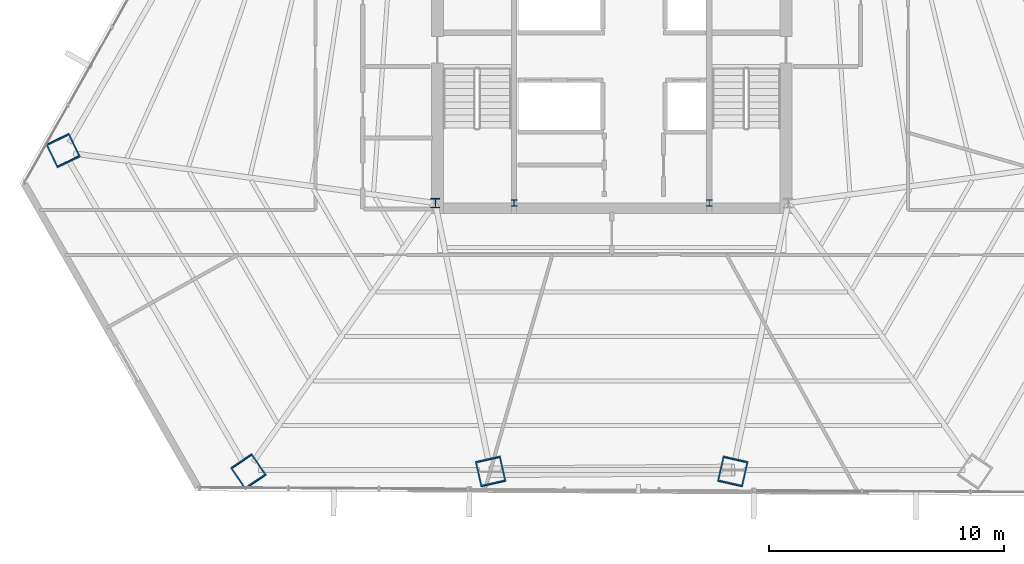
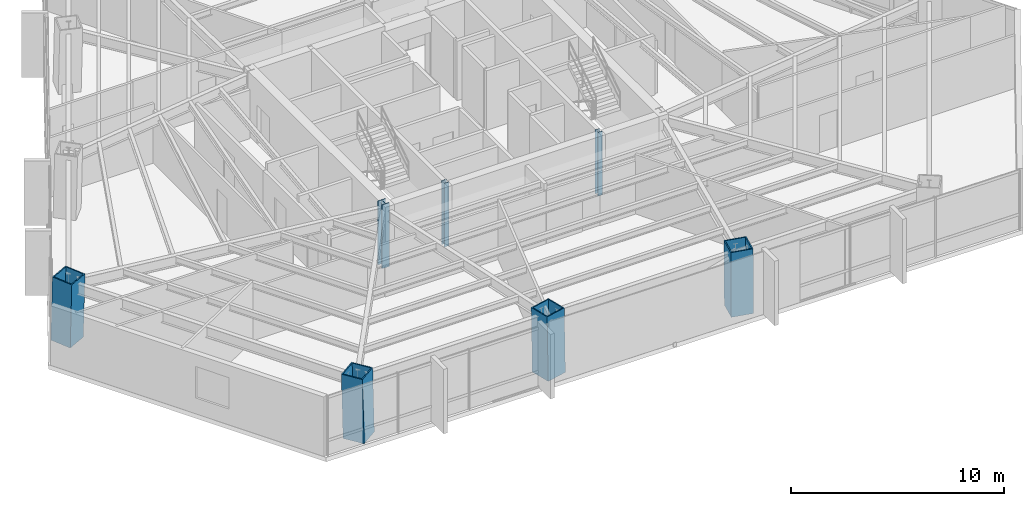
# One storey, part 1 of 35: 7 columns.
"""IFC4 building model written with IfcOpenShell, lengths in metres."""

from ifc_helpers import new_model, si_unit, direction, frame, origin, origin_2d, place, context, subcontext, project, spatial, hollow_rectangle, i_section, extrude, source, transform, mapped, material, material_profile, profile_set, type_object, type_shapes, element, save


model = new_model("IFC4")

# Units and contexts
model_context = context("Model", 3, precision=1e-05, world=origin(), true_north=direction((0.0, 1.0)))
body_context = subcontext(model_context, "Body", "Model", "MODEL_VIEW")
ifc_project = project(units=[si_unit("LENGTHUNIT", "METRE"), si_unit("AREAUNIT", "SQUARE_METRE"), si_unit("VOLUMEUNIT", "CUBIC_METRE"), si_unit("PLANEANGLEUNIT", "RADIAN"), si_unit("MASSUNIT", "GRAM", prefix="KILO")], contexts=[model_context])

# Site, building, storey
site_placement = place(None, origin())
site = spatial("IfcSite", under=ifc_project, at=site_placement, CompositionType="ELEMENT")
building_placement = place(site_placement, origin())
building = spatial("IfcBuilding", under=site, at=building_placement, Name="Caelisora Broadcast Tower", CompositionType="ELEMENT")
storey_placement = place(building_placement, frame((0.0, 0.0, 87.14990234375)))
storey = spatial("IfcBuildingStorey", under=building, at=storey_placement, Name="L22", CompositionType="ELEMENT", Elevation=87.14990234375)

# Columns
ifc_material_1 = material(Name="Steel Grade 350 (AS/NZS 3679.1)", Category="steel")
ifc_material_profile_1 = material_profile(ifc_material_1, i_section(OverallWidth=0.256103515625, OverallDepth=0.260009765625, WebThickness=0.010498046875, FlangeThickness=0.017333984375, at=origin_2d()), Name="Steel Grade 350 (AS/NZS 3679.1)")
ifc_profile_set_1 = profile_set([ifc_material_profile_1], Name="Steel Grade 350 (AS/NZS 3679.1)")
column_type_1 = type_object("IfcColumnType", Name="CC05", PredefinedType="COLUMN", material=ifc_profile_set_1)
shared_shape_1 = source(origin(), body_context, "Body", "SweptSolid", [
    extrude(i_section(OverallWidth=0.256103515625, OverallDepth=0.260009765625, WebThickness=0.010498046875, FlangeThickness=0.017333984375, at=origin_2d()), origin(), (0.0, 0.0, 1.0), 3.650146484375),
])
type_shapes(column_type_1, [shared_shape_1])
for number, where, z_axis, x_axis, name in (
    (1, (33.85009765625, 17.39990234375, 0.0), (0.0, 0.0, 1.0), (1.0, 0.0, 0.0), "L22 column CC05"),
    (2, (42.14990234375, 17.39990234375, 0.0), (0.0, 0.0, 1.0), (1.0, 0.0, 0.0), "L22 column CC05"),
):
    element("IfcColumn", number, at=place(storey_placement, frame(where, z_axis=z_axis, x_axis=x_axis)), inside=storey, type_object=column_type_1, Name=name, PredefinedType="COLUMN", context=body_context, shape_type="MappedRepresentation", body=[
        mapped(shared_shape_1, transform((0.0, 0.0, 0.0), scale=1.0)),
    ])
ifc_material_2 = material(Name="Steel Grade 350 L15 (AS/NZS 3678)", Category="steel")
ifc_material_profile_2 = material_profile(ifc_material_2, hollow_rectangle(XDim=1.10009765625, YDim=1.10009765625, WallThickness=0.06005859375, at=origin_2d()), Name="Steel Grade 350 L15 (AS/NZS 3678)")
ifc_profile_set_2 = profile_set([ifc_material_profile_2], Name="Steel Grade 350 L15 (AS/NZS 3678)")
column_type_2 = type_object("IfcColumnType", Name="MC03", PredefinedType="COLUMN", material=ifc_profile_set_2)
shared_shape_2 = source(origin(), body_context, "Body", "SweptSolid", [
    extrude(hollow_rectangle(XDim=1.10009765625, YDim=1.10009765625, WallThickness=0.06005859375, at=origin_2d()), origin(), (0.0, 0.0, 1.0), 3.65087890625),
])
for number, where, z_axis, x_axis, name in (
    (3, (32.855224609375, 5.9794921875, 0.0), (-0.004480382638, 0.019793929266, 0.999794042058), (-0.975326687046, -0.220766513622, 0.0), "L22 column MC03"),
    (4, (43.144775390625, 5.9794921875, 0.0), (0.004480382638, 0.019793929266, 0.999794042058), (-0.975326687046, 0.220766513622, 0.0), "L22 column MC03"),
):
    element("IfcColumn", number, at=place(storey_placement, frame(where, z_axis=z_axis, x_axis=x_axis)), inside=storey, type_object=column_type_2, Name=name, PredefinedType="COLUMN", context=body_context, shape_type="MappedRepresentation", body=[
        mapped(shared_shape_2, transform((0.0, 0.0, 0.0), scale=1.0)),
    ])
ifc_material_3 = material(Name="Steel Grade 350 (AS/NZS 3679.2)", Category="steel")
ifc_material_profile_3 = material_profile(ifc_material_3, i_section(OverallWidth=0.39990234375, OverallDepth=0.39990234375, WebThickness=0.02001953125, FlangeThickness=0.031982421875, at=origin_2d()), Name="Steel Grade 350 (AS/NZS 3679.2)")
ifc_profile_set_3 = profile_set([ifc_material_profile_3], Name="Steel Grade 350 (AS/NZS 3679.2)")
column_type_3 = type_object("IfcColumnType", Name="CC02", PredefinedType="COLUMN", material=ifc_profile_set_3)
shared_shape_3 = source(origin(), body_context, "Body", "SweptSolid", [
    extrude(i_section(OverallWidth=0.39990234375, OverallDepth=0.39990234375, WebThickness=0.02001953125, FlangeThickness=0.031982421875, at=origin_2d()), origin(), (0.0, 0.0, 1.0), 3.650146484375),
])
type_shapes(column_type_3, [shared_shape_3])
column_placement = place(storey_placement, frame((30.5, 17.39990234375, 0.0), z_axis=(0.0, 0.0, 1.0), x_axis=(1.0, 0.0, 0.0)))
element("IfcColumn", 5, at=column_placement, inside=storey, type_object=column_type_3, Name="L22 column CC02", PredefinedType="COLUMN", context=body_context, shape_type="MappedRepresentation", body=[
    mapped(shared_shape_3, transform((0.0, 0.0, 0.0), scale=1.0)),
])
shared_shape_4 = source(origin(), body_context, "Body", "SweptSolid", [
    extrude(hollow_rectangle(XDim=1.10009765625, YDim=1.10009765625, WallThickness=0.06005859375, at=origin_2d()), origin(), (0.0, 0.0, 1.0), 3.651123046875),
])
type_shapes(column_type_2, [shared_shape_2, shared_shape_4])
for number, where, z_axis, x_axis, name in (
    (6, (14.676513671875, 19.643798828125, 0.0), (0.010431083049, -0.021597691184, 0.999712324742), (0.900476348161, 0.434904985489, 0.0), "L22 column MC03"),
    (7, (22.565673828125, 5.9794921875, 0.0), (-0.013440068782, 0.019792340097, 0.999713772949), (-0.827290216258, -0.561774775229, 0.0), "L22 column MC03"),
):
    element("IfcColumn", number, at=place(storey_placement, frame(where, z_axis=z_axis, x_axis=x_axis)), inside=storey, type_object=column_type_2, Name=name, PredefinedType="COLUMN", context=body_context, shape_type="MappedRepresentation", body=[
        mapped(shared_shape_4, transform((0.0, 0.0, 0.0), scale=1.0)),
    ])

save(model, "model.ifc")
